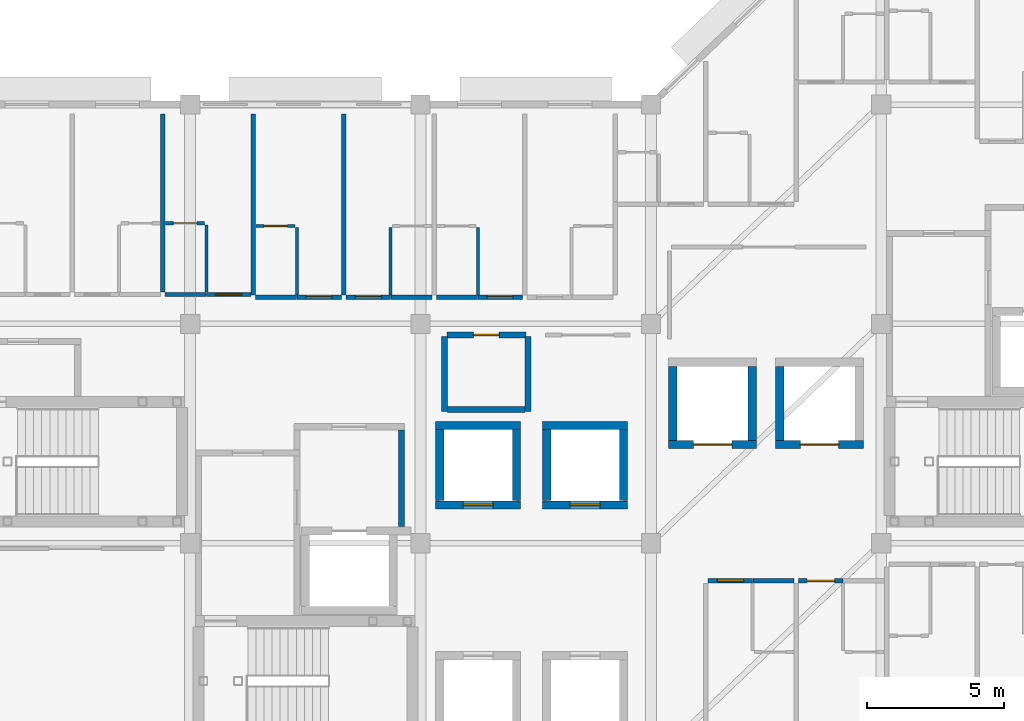
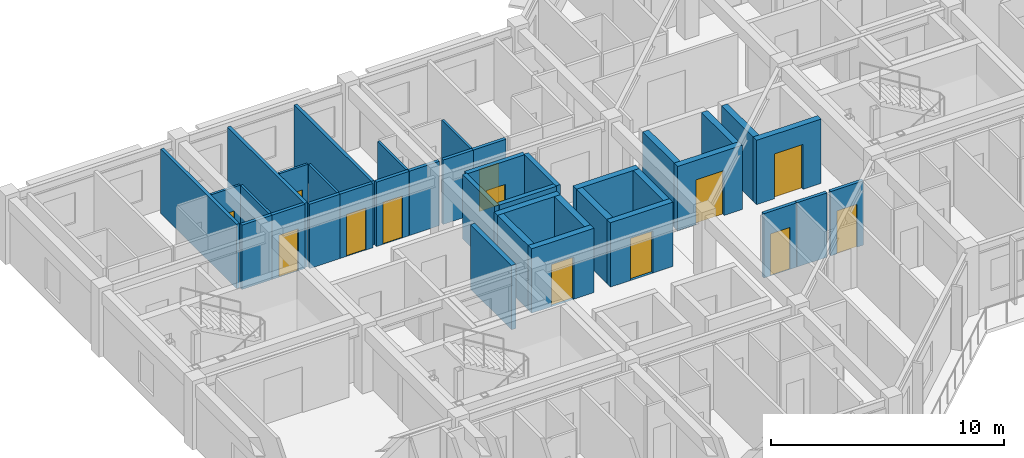
# One storey, part 7 of 16: 38 walls, 13 doors, 13 openings.
"""IFC4 building model written with IfcOpenShell, lengths in metres."""

from ifc_helpers import new_model, si_unit, direction, frame, frame_2d, origin, place, context, subcontext, project, spatial, rectangle, extrude, material, layer, layer_set, type_object, element, fill, save


model = new_model("IFC4")

# Units and contexts
model_context = context("Model", 3, precision=1e-05, world=origin(), true_north=direction((0.0, 1.0)))
body_context = subcontext(model_context, "Body", "Model", "MODEL_VIEW")
ifc_project = project(units=[si_unit("LENGTHUNIT", "METRE"), si_unit("AREAUNIT", "SQUARE_METRE"), si_unit("VOLUMEUNIT", "CUBIC_METRE"), si_unit("PLANEANGLEUNIT", "RADIAN"), si_unit("MASSUNIT", "GRAM", prefix="KILO")], contexts=[model_context])

# Site, building, storey
site_placement = place(None, origin())
site = spatial("IfcSite", under=ifc_project, at=site_placement, CompositionType="ELEMENT")
building_placement = place(site_placement, origin())
building = spatial("IfcBuilding", under=site, at=building_placement, Name="Naruveol Harbour Congress Hotel", CompositionType="ELEMENT")
storey_placement = place(building_placement, frame((0.0, 0.0, 28.800048828125)))
storey = spatial("IfcBuildingStorey", under=building, at=storey_placement, Name="L06", CompositionType="ELEMENT", Elevation=28.800048828125)

# Wall
ifc_material_1 = material(Name="Moisture-Resistant Gypsum Partition", Category="gypsum")
ifc_layer_1 = layer(ifc_material_1, 0.114990234375)
ifc_layer_set_1 = layer_set([ifc_layer_1], Name="Moisture-Resistant Gypsum Partition")
wall_type_1 = type_object("IfcWallType", Name="BATHROOM MOISTURE PARTITION WALL 115", PredefinedType="PARTITIONING", material=ifc_layer_set_1)
wall_1_placement = place(storey_placement, frame((126.590087890625, 25.159912109375, 0.0), z_axis=(0.0, 0.0, 1.0), x_axis=(0.0, 1.0, 0.0)))
element("IfcWall", 1, at=wall_1_placement, inside=storey, type_object=wall_type_1, Name="Bathroom east wall 0772 PW-115", PredefinedType="PARTITIONING", context=body_context, shape_type="SweptSolid", body=[
    extrude(rectangle(XDim=2.4501953125, YDim=0.114990234375, at=frame_2d((1.22509765625, 0.0))), origin(), (0.0, 0.0, 1.0), 3.364990234375),
])

# Wall, opening, door
wall_2_placement = place(storey_placement, frame((125.10009765625, 27.669921875, 0.0), z_axis=(0.0, 0.0, 1.0), x_axis=(1.0, 0.0, 0.0)))
wall_2 = element("IfcWall", 2, at=wall_2_placement, inside=storey, type_object=wall_type_1, Name="Bathroom north wall 0772 PW-115", PredefinedType="PARTITIONING", context=body_context, shape_type="SweptSolid", body=[
    extrude(rectangle(XDim=1.429931640625, YDim=0.114990234375, at=frame_2d((0.71484375, 0.0))), origin(), (0.0, 0.0, 1.0), 3.364990234375),
])
opening_1_placement = place(wall_2_placement, frame((0.284912109375, 0.0, 0.0)))
opening_1 = element("IfcOpeningElement", 3, at=opening_1_placement, cuts=wall_2, Name="Opening BD-RM0772", PredefinedType="OPENING", context=body_context, shape_type="SweptSolid", body=[
    extrude(rectangle(XDim=0.860107421875, YDim=2.1201171875, at=frame_2d((0.43017578125, 1.06005859375))), frame((0.0, 0.0673828125, 0.0), z_axis=(0.0, -1.0, 0.0), x_axis=(1.0, 0.0, 0.0)), (0.0, 0.0, 1.0), 0.135009765625),
])
ifc_material_2 = material(Name="Timber & Steel Acoustic Leaf", Category="steel")
door_type_1 = type_object("IfcDoorType", Name="GUEST BATHROOM DOOR 860X2120", OperationType="NOTDEFINED", PredefinedType="DOOR", material=ifc_material_2)
door_1_placement = place(opening_1_placement, origin())
door_1 = element("IfcDoor", 4, at=door_1_placement, inside=storey, type_object=door_type_1, Name="Bathroom Door 0772", OperationType="SINGLE_SWING_RIGHT", OverallHeight=2.1201171875, OverallWidth=0.860107421875, PredefinedType="DOOR", context=body_context, shape_type="SweptSolid", body=[
    extrude(rectangle(XDim=0.860107421875, YDim=2.1201171875, at=frame_2d((0.43017578125, 1.06005859375))), frame((0.0, 0.02490234375, 0.0), z_axis=(0.0, -1.0, 0.0), x_axis=(1.0, 0.0, 0.0)), (0.0, 0.0, 1.0), 0.050048828125),
])
fill(opening_1, door_1)

# Wall
wall_3_placement = place(storey_placement, frame((129.889892578125, 25.06005859375, 0.0), z_axis=(0.0, 0.0, 1.0), x_axis=(0.0, 1.0, 0.0)))
element("IfcWall", 5, at=wall_3_placement, inside=storey, type_object=wall_type_1, Name="Bathroom east wall 0773 PW-115", PredefinedType="PARTITIONING", context=body_context, shape_type="SweptSolid", body=[
    extrude(rectangle(XDim=2.449951171875, YDim=0.114990234375, at=frame_2d((1.22509765625, 0.0))), origin(), (0.0, 0.0, 1.0), 3.364990234375),
])

# Wall, opening, door
wall_4_placement = place(storey_placement, frame((128.39990234375, 27.570068359375, 0.0), z_axis=(0.0, 0.0, 1.0), x_axis=(1.0, 0.0, 0.0)))
wall_4 = element("IfcWall", 6, at=wall_4_placement, inside=storey, type_object=wall_type_1, Name="Bathroom north wall 0773 PW-115", PredefinedType="PARTITIONING", context=body_context, shape_type="SweptSolid", body=[
    extrude(rectangle(XDim=1.43017578125, YDim=0.114990234375, at=frame_2d((0.715087890625, 0.0))), origin(), (0.0, 0.0, 1.0), 3.364990234375),
])
opening_2_placement = place(wall_4_placement, frame((0.284912109375, 0.0, 0.0)))
opening_2 = element("IfcOpeningElement", 7, at=opening_2_placement, cuts=wall_4, Name="Opening BD-RM0773", PredefinedType="OPENING", context=body_context, shape_type="SweptSolid", body=[
    extrude(rectangle(XDim=0.860107421875, YDim=2.1201171875, at=frame_2d((0.43017578125, 1.06005859375))), frame((0.0, 0.0673828125, 0.0), z_axis=(0.0, -1.0, 0.0), x_axis=(1.0, 0.0, 0.0)), (0.0, 0.0, 1.0), 0.135009765625),
])
door_2_placement = place(opening_2_placement, origin())
door_2 = element("IfcDoor", 8, at=door_2_placement, inside=storey, type_object=door_type_1, Name="Bathroom Door 0773", OperationType="SINGLE_SWING_RIGHT", OverallHeight=2.1201171875, OverallWidth=0.860107421875, PredefinedType="DOOR", context=body_context, shape_type="SweptSolid", body=[
    extrude(rectangle(XDim=0.860107421875, YDim=2.1201171875, at=frame_2d((0.43017578125, 1.06005859375))), frame((0.0, 0.02490234375, 0.0), z_axis=(0.0, -1.0, 0.0), x_axis=(1.0, 0.0, 0.0)), (0.0, 0.0, 1.0), 0.050048828125),
])
fill(opening_2, door_2)

# Walls
for number, where, z_axis, x_axis, name in (
    (9, (133.31005859375, 25.06005859375, 0.0), (0.0, 0.0, 1.0), (0.0, 1.0, 0.0), "Bathroom west wall 0774 PW-115"),
    (10, (136.489990234375, 25.06005859375, 0.0), (0.0, 0.0, 1.0), (0.0, 1.0, 0.0), "Bathroom east wall 0775 PW-115"),
):
    element("IfcWall", number, at=place(storey_placement, frame(where, z_axis=z_axis, x_axis=x_axis)), inside=storey, type_object=wall_type_1, Name=name, PredefinedType="PARTITIONING", context=body_context, shape_type="SweptSolid", body=[
        extrude(rectangle(XDim=2.449951171875, YDim=0.114990234375, at=frame_2d((1.22509765625, 0.0))), origin(), (0.0, 0.0, 1.0), 3.364990234375),
    ])
ifc_material_3 = material(Name="Concrete C40/50", Category="concrete")
ifc_layer_2 = layer(ifc_material_3, 0.219970703125)
ifc_layer_set_2 = layer_set([ifc_layer_2], Name="Concrete C40/50")
wall_type_2 = type_object("IfcWallType", Name="FIRE COMPARTMENT AND LOBBY WALL 220 EI120", PredefinedType="PARTITIONING", material=ifc_layer_set_2)
wall_5_placement = place(storey_placement, frame((133.699951171875, 16.60498046875, 0.0), z_axis=(0.0, 0.0, 1.0), x_axis=(0.0, 1.0, 0.0)))
element("IfcWall", 11, at=wall_5_placement, inside=storey, type_object=wall_type_2, Name="Firefighting lift lobby ST1 east wall FW-220", PredefinedType="PARTITIONING", context=body_context, shape_type="SweptSolid", body=[
    extrude(rectangle(XDim=3.530029296875, YDim=0.219970703125, at=frame_2d((1.76513671875, 0.0))), origin(), (0.0, 0.0, 1.0), 3.364990234375),
])

# Wall, opening, door
wall_6_placement = place(storey_placement, frame((135.360107421875, 23.60009765625, 0.0), z_axis=(0.0, 0.0, 1.0), x_axis=(1.0, 0.0, 0.0)))
wall_6 = element("IfcWall", 12, at=wall_6_placement, inside=storey, type_object=wall_type_2, Name="Housekeeping Pantry north entry wall FW-220", PredefinedType="PARTITIONING", context=body_context, shape_type="SweptSolid", body=[
    extrude(rectangle(XDim=2.8798828125, YDim=0.219970703125, at=frame_2d((1.43994140625, 0.0))), origin(), (0.0, 0.0, 1.0), 3.364990234375),
])
opening_3_placement = place(wall_6_placement, frame((0.969970703125, 0.0, 0.0)))
opening_3 = element("IfcOpeningElement", 13, at=opening_3_placement, cuts=wall_6, Name="Opening FD-ST-112", PredefinedType="OPENING", context=body_context, shape_type="SweptSolid", body=[
    extrude(rectangle(XDim=0.93994140625, YDim=2.14990234375, at=frame_2d((0.469970703125, 1.074951171875))), frame((0.0, 0.119873046875, 0.0), z_axis=(0.0, -1.0, 0.0), x_axis=(1.0, 0.0, 0.0)), (0.0, 0.0, 1.0), 0.239990234375),
])
ifc_material_4 = material(Name="Timber & Steel Acoustic Leaf", Category="steel")
door_type_2 = type_object("IfcDoorType", Name="HOUSEKEEPING AND STORE FIRE DOOR 940X2150", OperationType="NOTDEFINED", PredefinedType="DOOR", material=ifc_material_4)
door_3_placement = place(opening_3_placement, origin())
door_3 = element("IfcDoor", 14, at=door_3_placement, inside=storey, type_object=door_type_2, Name="Housekeeping Pantry Fire Door", OperationType="SINGLE_SWING_LEFT", OverallHeight=2.14990234375, OverallWidth=0.93994140625, PredefinedType="DOOR", context=body_context, shape_type="SweptSolid", body=[
    extrude(rectangle(XDim=0.93994140625, YDim=2.14990234375, at=frame_2d((0.469970703125, 1.074951171875))), frame((0.0, 0.02490234375, 0.0), z_axis=(0.0, -1.0, 0.0), x_axis=(1.0, 0.0, 0.0)), (0.0, 0.0, 1.0), 0.050048828125),
])
fill(opening_3, door_3)

# Walls
for number, where, z_axis, x_axis, name in (
    (15, (135.280029296875, 20.800048828125, 0.0), (0.0, 0.0, 1.0), (0.0, 1.0, 0.0), "Housekeeping Pantry west enclosure partition FW-220"),
    (16, (138.320068359375, 20.800048828125, 0.0), (0.0, 0.0, 1.0), (0.0, 1.0, 0.0), "Housekeeping Pantry east enclosure partition FW-220"),
):
    element("IfcWall", number, at=place(storey_placement, frame(where, z_axis=z_axis, x_axis=x_axis)), inside=storey, type_object=wall_type_2, Name=name, PredefinedType="PARTITIONING", context=body_context, shape_type="SweptSolid", body=[
        extrude(rectangle(XDim=2.748046875, YDim=0.219970703125, at=frame_2d((1.3740234375, 0.0))), origin(), (0.0, 0.0, 1.0), 3.364990234375),
    ])
wall_7_placement = place(storey_placement, frame((135.389892578125, 20.8798828125, 0.0), z_axis=(0.0, 0.0, 1.0), x_axis=(1.0, 0.0, 0.0)))
element("IfcWall", 17, at=wall_7_placement, inside=storey, type_object=wall_type_2, Name="Housekeeping Pantry south enclosure partition FW-220", PredefinedType="PARTITIONING", context=body_context, shape_type="SweptSolid", body=[
    extrude(rectangle(XDim=2.820068359375, YDim=0.219970703125, at=frame_2d((1.41015625, 0.0))), origin(), (0.0, 0.0, 1.0), 3.364990234375),
])
ifc_material_5 = material(Name="Autoclaved Aerated Concrete Block", Category="concrete")
ifc_layer_3 = layer(ifc_material_5, 0.159912109375)
ifc_layer_set_3 = layer_set([ifc_layer_3], Name="Autoclaved Aerated Concrete Block")
wall_type_3 = type_object("IfcWallType", Name="HOTEL PARTY AND CORRIDOR WALL 160 EI60", PredefinedType="PARTITIONING", material=ifc_layer_set_3)
wall_8_placement = place(storey_placement, frame((125.090087890625, 25.070068359375, 0.0), z_axis=(0.0, 0.0, 1.0), x_axis=(1.0, 0.0, 0.0)))
element("IfcWall", 18, at=wall_8_placement, inside=storey, type_object=wall_type_3, Name="Corridor wall 0772B PW-160", PredefinedType="PARTITIONING", context=body_context, shape_type="SweptSolid", body=[
    extrude(rectangle(XDim=1.489990234375, YDim=0.159912109375, at=frame_2d((0.7451171875, 0.0))), origin(), (0.0, 0.0, 1.0), 3.364990234375),
])

# Wall, opening, door
wall_9_placement = place(storey_placement, frame((126.590087890625, 25.070068359375, 0.0), z_axis=(0.0, 0.0, 1.0), x_axis=(1.0, 0.0, 0.0)))
wall_9 = element("IfcWall", 19, at=wall_9_placement, inside=storey, type_object=wall_type_3, Name="Corridor entry wall 0772 PW-160", PredefinedType="PARTITIONING", context=body_context, shape_type="SweptSolid", body=[
    extrude(rectangle(XDim=1.619873046875, YDim=0.159912109375, at=frame_2d((0.81005859375, 0.0))), origin(), (0.0, 0.0, 1.0), 3.364990234375),
])
opening_4_placement = place(wall_9_placement, frame((0.330078125, 0.0, 0.0)))
opening_4 = element("IfcOpeningElement", 20, at=opening_4_placement, cuts=wall_9, Name="Opening FD-RM0772", PredefinedType="OPENING", context=body_context, shape_type="SweptSolid", body=[
    extrude(rectangle(XDim=0.9599609375, YDim=2.199951171875, at=frame_2d((0.47998046875, 1.10009765625))), frame((0.0, 0.08984375, 0.0), z_axis=(0.0, -1.0, 0.0), x_axis=(1.0, 0.0, 0.0)), (0.0, 0.0, 1.0), 0.179931640625),
])
ifc_material_6 = material(Name="Timber & Steel Acoustic Leaf", Category="steel")
door_type_3 = type_object("IfcDoorType", Name="GUEST ROOM ENTRANCE FIRE DOOR 960X2200", OperationType="NOTDEFINED", PredefinedType="DOOR", material=ifc_material_6)
door_4_placement = place(opening_4_placement, origin())
door_4 = element("IfcDoor", 21, at=door_4_placement, inside=storey, type_object=door_type_3, Name="Hotel Room Door 0772", OperationType="SINGLE_SWING_LEFT", OverallHeight=2.199951171875, OverallWidth=0.9599609375, PredefinedType="DOOR", context=body_context, shape_type="SweptSolid", body=[
    extrude(rectangle(XDim=0.9599609375, YDim=2.199951171875, at=frame_2d((0.47998046875, 1.10009765625))), frame((0.0, 0.02490234375, 0.0), z_axis=(0.0, -1.0, 0.0), x_axis=(1.0, 0.0, 0.0)), (0.0, 0.0, 1.0), 0.050048828125),
])
fill(opening_4, door_4)

# Walls
wall_10_placement = place(storey_placement, frame((125.0, 25.159912109375, 0.0), z_axis=(0.0, 0.0, 1.0), x_axis=(0.0, 1.0, 0.0)))
element("IfcWall", 22, at=wall_10_placement, inside=storey, type_object=wall_type_3, Name="Hotel party wall 0772 PW-160", PredefinedType="PARTITIONING", context=body_context, shape_type="SweptSolid", body=[
    extrude(rectangle(XDim=6.5, YDim=0.159912109375, at=frame_2d((3.25, 0.0))), origin(), (0.0, 0.0, 1.0), 3.364990234375),
])
wall_11_placement = place(storey_placement, frame((128.389892578125, 24.969970703125, 0.0), z_axis=(0.0, 0.0, 1.0), x_axis=(1.0, 0.0, 0.0)))
element("IfcWall", 23, at=wall_11_placement, inside=storey, type_object=wall_type_3, Name="Corridor wall 0773B PW-160", PredefinedType="PARTITIONING", context=body_context, shape_type="SweptSolid", body=[
    extrude(rectangle(XDim=1.489990234375, YDim=0.159912109375, at=frame_2d((0.7451171875, 0.0))), origin(), (0.0, 0.0, 1.0), 3.364990234375),
])

# Wall, opening, door
wall_12_placement = place(storey_placement, frame((129.889892578125, 24.969970703125, 0.0), z_axis=(0.0, 0.0, 1.0), x_axis=(1.0, 0.0, 0.0)))
wall_12 = element("IfcWall", 24, at=wall_12_placement, inside=storey, type_object=wall_type_3, Name="Corridor entry wall 0773 PW-160", PredefinedType="PARTITIONING", context=body_context, shape_type="SweptSolid", body=[
    extrude(rectangle(XDim=1.6201171875, YDim=0.159912109375, at=frame_2d((0.81005859375, 0.0))), origin(), (0.0, 0.0, 1.0), 3.364990234375),
])
opening_5_placement = place(wall_12_placement, frame((0.330078125, 0.0, 0.0)))
opening_5 = element("IfcOpeningElement", 25, at=opening_5_placement, cuts=wall_12, Name="Opening FD-RM0773", PredefinedType="OPENING", context=body_context, shape_type="SweptSolid", body=[
    extrude(rectangle(XDim=0.9599609375, YDim=2.199951171875, at=frame_2d((0.47998046875, 1.10009765625))), frame((0.0, 0.08984375, 0.0), z_axis=(0.0, -1.0, 0.0), x_axis=(1.0, 0.0, 0.0)), (0.0, 0.0, 1.0), 0.179931640625),
])
door_5_placement = place(opening_5_placement, origin())
door_5 = element("IfcDoor", 26, at=door_5_placement, inside=storey, type_object=door_type_3, Name="Hotel Room Door 0773", OperationType="SINGLE_SWING_LEFT", OverallHeight=2.199951171875, OverallWidth=0.9599609375, PredefinedType="DOOR", context=body_context, shape_type="SweptSolid", body=[
    extrude(rectangle(XDim=0.9599609375, YDim=2.199951171875, at=frame_2d((0.47998046875, 1.10009765625))), frame((0.0, 0.02490234375, 0.0), z_axis=(0.0, -1.0, 0.0), x_axis=(1.0, 0.0, 0.0)), (0.0, 0.0, 1.0), 0.050048828125),
])
fill(opening_5, door_5)

# Wall
wall_13_placement = place(storey_placement, frame((128.300048828125, 25.06005859375, 0.0), z_axis=(0.0, 0.0, 1.0), x_axis=(0.0, 1.0, 0.0)))
element("IfcWall", 27, at=wall_13_placement, inside=storey, type_object=wall_type_3, Name="Hotel party wall 0773 PW-160", PredefinedType="PARTITIONING", context=body_context, shape_type="SweptSolid", body=[
    extrude(rectangle(XDim=6.599853515625, YDim=0.159912109375, at=frame_2d((3.2998046875, 0.0))), origin(), (0.0, 0.0, 1.0), 3.364990234375),
])

# Wall, opening, door
wall_14_placement = place(storey_placement, frame((131.68994140625, 24.969970703125, 0.0), z_axis=(0.0, 0.0, 1.0), x_axis=(1.0, 0.0, 0.0)))
wall_14 = element("IfcWall", 28, at=wall_14_placement, inside=storey, type_object=wall_type_3, Name="Corridor entry wall 0774 PW-160", PredefinedType="PARTITIONING", context=body_context, shape_type="SweptSolid", body=[
    extrude(rectangle(XDim=1.6201171875, YDim=0.159912109375, at=frame_2d((0.81005859375, 0.0))), origin(), (0.0, 0.0, 1.0), 3.364990234375),
])
opening_6_placement = place(wall_14_placement, frame((0.330078125, 0.0, 0.0)))
opening_6 = element("IfcOpeningElement", 29, at=opening_6_placement, cuts=wall_14, Name="Opening FD-RM0774", PredefinedType="OPENING", context=body_context, shape_type="SweptSolid", body=[
    extrude(rectangle(XDim=0.9599609375, YDim=2.199951171875, at=frame_2d((0.47998046875, 1.10009765625))), frame((0.0, 0.08984375, 0.0), z_axis=(0.0, -1.0, 0.0), x_axis=(1.0, 0.0, 0.0)), (0.0, 0.0, 1.0), 0.179931640625),
])
door_6_placement = place(opening_6_placement, origin())
door_6 = element("IfcDoor", 30, at=door_6_placement, inside=storey, type_object=door_type_3, Name="Hotel Room Door 0774", OperationType="SINGLE_SWING_LEFT", OverallHeight=2.199951171875, OverallWidth=0.9599609375, PredefinedType="DOOR", context=body_context, shape_type="SweptSolid", body=[
    extrude(rectangle(XDim=0.9599609375, YDim=2.199951171875, at=frame_2d((0.47998046875, 1.10009765625))), frame((0.0, 0.02490234375, 0.0), z_axis=(0.0, -1.0, 0.0), x_axis=(1.0, 0.0, 0.0)), (0.0, 0.0, 1.0), 0.050048828125),
])
fill(opening_6, door_6)

# Walls
wall_15_placement = place(storey_placement, frame((133.320068359375, 24.969970703125, 0.0), z_axis=(0.0, 0.0, 1.0), x_axis=(1.0, 0.0, 0.0)))
element("IfcWall", 31, at=wall_15_placement, inside=storey, type_object=wall_type_3, Name="Corridor wall 0774B PW-160", PredefinedType="PARTITIONING", context=body_context, shape_type="SweptSolid", body=[
    extrude(rectangle(XDim=1.489990234375, YDim=0.159912109375, at=frame_2d((0.7451171875, 0.0))), origin(), (0.0, 0.0, 1.0), 3.364990234375),
])
wall_16_placement = place(storey_placement, frame((131.60009765625, 25.06005859375, 0.0), z_axis=(0.0, 0.0, 1.0), x_axis=(0.0, 1.0, 0.0)))
element("IfcWall", 32, at=wall_16_placement, inside=storey, type_object=wall_type_3, Name="Hotel party wall 0774 PW-160", PredefinedType="PARTITIONING", context=body_context, shape_type="SweptSolid", body=[
    extrude(rectangle(XDim=6.599853515625, YDim=0.159912109375, at=frame_2d((3.2998046875, 0.0))), origin(), (0.0, 0.0, 1.0), 3.364990234375),
])
wall_17_placement = place(storey_placement, frame((134.989990234375, 24.969970703125, 0.0), z_axis=(0.0, 0.0, 1.0), x_axis=(1.0, 0.0, 0.0)))
element("IfcWall", 33, at=wall_17_placement, inside=storey, type_object=wall_type_3, Name="Corridor wall 0775B PW-160", PredefinedType="PARTITIONING", context=body_context, shape_type="SweptSolid", body=[
    extrude(rectangle(XDim=1.489990234375, YDim=0.159912109375, at=frame_2d((0.7451171875, 0.0))), origin(), (0.0, 0.0, 1.0), 3.364990234375),
])

# Wall, opening, door
wall_18_placement = place(storey_placement, frame((136.489990234375, 24.969970703125, 0.0), z_axis=(0.0, 0.0, 1.0), x_axis=(1.0, 0.0, 0.0)))
wall_18 = element("IfcWall", 34, at=wall_18_placement, inside=storey, type_object=wall_type_3, Name="Corridor entry wall 0775 PW-160", PredefinedType="PARTITIONING", context=body_context, shape_type="SweptSolid", body=[
    extrude(rectangle(XDim=1.6201171875, YDim=0.159912109375, at=frame_2d((0.81005859375, 0.0))), origin(), (0.0, 0.0, 1.0), 3.364990234375),
])
opening_7_placement = place(wall_18_placement, frame((0.330078125, 0.0, 0.0)))
opening_7 = element("IfcOpeningElement", 35, at=opening_7_placement, cuts=wall_18, Name="Opening FD-RM0775", PredefinedType="OPENING", context=body_context, shape_type="SweptSolid", body=[
    extrude(rectangle(XDim=0.9599609375, YDim=2.199951171875, at=frame_2d((0.47998046875, 1.10009765625))), frame((0.0, 0.08984375, 0.0), z_axis=(0.0, -1.0, 0.0), x_axis=(1.0, 0.0, 0.0)), (0.0, 0.0, 1.0), 0.179931640625),
])
door_7_placement = place(opening_7_placement, origin())
door_7 = element("IfcDoor", 36, at=door_7_placement, inside=storey, type_object=door_type_3, Name="Hotel Room Door 0775", OperationType="SINGLE_SWING_LEFT", OverallHeight=2.199951171875, OverallWidth=0.9599609375, PredefinedType="DOOR", context=body_context, shape_type="SweptSolid", body=[
    extrude(rectangle(XDim=0.9599609375, YDim=2.199951171875, at=frame_2d((0.47998046875, 1.10009765625))), frame((0.0, 0.02490234375, 0.0), z_axis=(0.0, -1.0, 0.0), x_axis=(1.0, 0.0, 0.0)), (0.0, 0.0, 1.0), 0.050048828125),
])
fill(opening_7, door_7)

wall_19_placement = place(storey_placement, frame((144.889892578125, 14.6298828125, 0.0), z_axis=(0.0, 0.0, 1.0), x_axis=(1.0, 0.0, 0.0)))
wall_19 = element("IfcWall", 37, at=wall_19_placement, inside=storey, type_object=wall_type_3, Name="Corridor entry wall 0761 PW-160", PredefinedType="PARTITIONING", context=body_context, shape_type="SweptSolid", body=[
    extrude(rectangle(XDim=1.6201171875, YDim=0.159912109375, at=frame_2d((0.81005859375, 0.0))), origin(), (0.0, 0.0, 1.0), 3.364990234375),
])
opening_8_placement = place(wall_19_placement, frame((0.330078125, 0.0, 0.0)))
opening_8 = element("IfcOpeningElement", 38, at=opening_8_placement, cuts=wall_19, Name="Opening FD-RM0761", PredefinedType="OPENING", context=body_context, shape_type="SweptSolid", body=[
    extrude(rectangle(XDim=0.9599609375, YDim=2.199951171875, at=frame_2d((0.47998046875, 1.10009765625))), frame((0.0, 0.08984375, 0.0), z_axis=(0.0, -1.0, 0.0), x_axis=(1.0, 0.0, 0.0)), (0.0, 0.0, 1.0), 0.179931640625),
])
door_8_placement = place(opening_8_placement, origin())
door_8 = element("IfcDoor", 39, at=door_8_placement, inside=storey, type_object=door_type_3, Name="Hotel Room Door 0761", OperationType="SINGLE_SWING_LEFT", OverallHeight=2.199951171875, OverallWidth=0.9599609375, PredefinedType="DOOR", context=body_context, shape_type="SweptSolid", body=[
    extrude(rectangle(XDim=0.9599609375, YDim=2.199951171875, at=frame_2d((0.47998046875, 1.10009765625))), frame((0.0, 0.02490234375, 0.0), z_axis=(0.0, -1.0, 0.0), x_axis=(1.0, 0.0, 0.0)), (0.0, 0.0, 1.0), 0.050048828125),
])
fill(opening_8, door_8)

# Wall
wall_20_placement = place(storey_placement, frame((146.52001953125, 14.6298828125, 0.0), z_axis=(0.0, 0.0, 1.0), x_axis=(1.0, 0.0, 0.0)))
element("IfcWall", 40, at=wall_20_placement, inside=storey, type_object=wall_type_3, Name="Corridor wall 0761B PW-160", PredefinedType="PARTITIONING", context=body_context, shape_type="SweptSolid", body=[
    extrude(rectangle(XDim=1.489990234375, YDim=0.159912109375, at=frame_2d((0.7451171875, 0.0))), origin(), (0.0, 0.0, 1.0), 3.364990234375),
])

# Wall, opening, door
wall_21_placement = place(storey_placement, frame((148.18994140625, 14.6298828125, 0.0), z_axis=(0.0, 0.0, 1.0), x_axis=(1.0, 0.0, 0.0)))
wall_21 = element("IfcWall", 41, at=wall_21_placement, inside=storey, type_object=wall_type_3, Name="Corridor entry wall 0762 PW-160", PredefinedType="PARTITIONING", context=body_context, shape_type="SweptSolid", body=[
    extrude(rectangle(XDim=1.6201171875, YDim=0.159912109375, at=frame_2d((0.81005859375, 0.0))), origin(), (0.0, 0.0, 1.0), 3.364990234375),
])
opening_9_placement = place(wall_21_placement, frame((0.31005859375, 0.0, 0.0)))
opening_9 = element("IfcOpeningElement", 42, at=opening_9_placement, cuts=wall_21, Name="Opening FD-RM0762", PredefinedType="OPENING", context=body_context, shape_type="SweptSolid", body=[
    extrude(rectangle(XDim=1.0, YDim=2.25, at=frame_2d((0.5, 1.125))), frame((0.0, 0.08984375, 0.0), z_axis=(0.0, -1.0, 0.0), x_axis=(1.0, 0.0, 0.0)), (0.0, 0.0, 1.0), 0.179931640625),
])
ifc_material_7 = material(Name="Timber & Steel Acoustic Leaf", Category="steel")
door_type_4 = type_object("IfcDoorType", Name="DELUXE GUEST ENTRANCE FIRE DOOR 1000X2250", OperationType="NOTDEFINED", PredefinedType="DOOR", material=ifc_material_7)
door_9_placement = place(opening_9_placement, origin())
door_9 = element("IfcDoor", 43, at=door_9_placement, inside=storey, type_object=door_type_4, Name="Hotel Room Door 0762", OperationType="SINGLE_SWING_LEFT", OverallHeight=2.25, OverallWidth=1.0, PredefinedType="DOOR", context=body_context, shape_type="SweptSolid", body=[
    extrude(rectangle(XDim=1.0, YDim=2.25, at=frame_2d((0.5, 1.125))), frame((0.0, 0.02490234375, 0.0), z_axis=(0.0, -1.0, 0.0), x_axis=(1.0, 0.0, 0.0)), (0.0, 0.0, 1.0), 0.050048828125),
])
fill(opening_9, door_9)

ifc_material_8 = material(Name="Concrete C50/60", Category="concrete")
ifc_layer_4 = layer(ifc_material_8, 0.300048828125)
ifc_layer_set_4 = layer_set([ifc_layer_4], Name="Concrete C50/60")
wall_type_4 = type_object("IfcWallType", Name="RC STAIR AND HOISTWAY SHEAR WALL 300 EI120", PredefinedType="SHEAR", material=ifc_layer_set_4)
wall_22_placement = place(storey_placement, frame((134.949951171875, 17.39990234375, 0.0), z_axis=(0.0, 0.0, 1.0), x_axis=(1.0, 0.0, 0.0)))
wall_22 = element("IfcWall", 44, at=wall_22_placement, inside=storey, type_object=wall_type_4, Name="Hoistway south shear wall PL1 SW-300", PredefinedType="SHEAR", context=body_context, shape_type="SweptSolid", body=[
    extrude(rectangle(XDim=3.10009765625, YDim=0.300048828125, at=frame_2d((1.550048828125, 0.0))), origin(), (0.0, 0.0, 1.0), 3.364990234375),
])
opening_10_placement = place(wall_22_placement, frame((1.0, 0.0, 0.0)))
opening_10 = element("IfcOpeningElement", 45, at=opening_10_placement, cuts=wall_22, Name="Opening LD-PL1-L06", PredefinedType="OPENING", context=body_context, shape_type="SweptSolid", body=[
    extrude(rectangle(XDim=1.10009765625, YDim=2.199951171875, at=frame_2d((0.550048828125, 1.10009765625))), frame((0.0, 0.159912109375, 0.0), z_axis=(0.0, -1.0, 0.0), x_axis=(1.0, 0.0, 0.0)), (0.0, 0.0, 1.0), 0.320068359375),
])
ifc_material_9 = material(Name="Stainless Steel Lift Door", Category="steel")
door_type_5 = type_object("IfcDoorType", Name="PASSENGER LIFT LANDING DOOR 1100X2200", OperationType="DOUBLE_DOOR_SLIDING", PredefinedType="DOOR", material=ifc_material_9)
door_10_placement = place(opening_10_placement, origin())
door_10 = element("IfcDoor", 46, at=door_10_placement, inside=storey, type_object=door_type_5, Name="Elevator Landing Door PL1 L06", OperationType="DOUBLE_DOOR_SLIDING", OverallHeight=2.199951171875, OverallWidth=1.10009765625, PredefinedType="DOOR", context=body_context, shape_type="SweptSolid", body=[
    extrude(rectangle(XDim=1.10009765625, YDim=2.199951171875, at=frame_2d((0.550048828125, 1.10009765625))), frame((0.0, 0.02490234375, 0.0), z_axis=(0.0, -1.0, 0.0), x_axis=(1.0, 0.0, 0.0)), (0.0, 0.0, 1.0), 0.050048828125),
])
fill(opening_10, door_10)

# Walls
wall_23_placement = place(storey_placement, frame((137.89990234375, 17.554931640625, 0.0), z_axis=(0.0, 0.0, 1.0), x_axis=(0.0, 1.0, 0.0)))
element("IfcWall", 47, at=wall_23_placement, inside=storey, type_object=wall_type_4, Name="Hoistway east shear wall PL1 SW-300", PredefinedType="SHEAR", context=body_context, shape_type="SweptSolid", body=[
    extrude(rectangle(XDim=2.590087890625, YDim=0.300048828125, at=frame_2d((1.294921875, 0.0))), origin(), (0.0, 0.0, 1.0), 3.364990234375),
])
wall_24_placement = place(storey_placement, frame((138.050048828125, 20.300048828125, 0.0), z_axis=(0.0, 0.0, 1.0), x_axis=(-1.0, 0.0, 0.0)))
element("IfcWall", 48, at=wall_24_placement, inside=storey, type_object=wall_type_4, Name="Hoistway north shear wall PL1 SW-300", PredefinedType="SHEAR", context=body_context, shape_type="SweptSolid", body=[
    extrude(rectangle(XDim=3.10009765625, YDim=0.300048828125, at=frame_2d((1.550048828125, 0.0))), origin(), (0.0, 0.0, 1.0), 3.364990234375),
])
wall_25_placement = place(storey_placement, frame((135.10009765625, 20.14501953125, 0.0), z_axis=(0.0, 0.0, 1.0), x_axis=(0.0, -1.0, 0.0)))
element("IfcWall", 49, at=wall_25_placement, inside=storey, type_object=wall_type_4, Name="Hoistway west shear wall PL1 SW-300", PredefinedType="SHEAR", context=body_context, shape_type="SweptSolid", body=[
    extrude(rectangle(XDim=2.590087890625, YDim=0.300048828125, at=frame_2d((1.294921875, 0.0))), origin(), (0.0, 0.0, 1.0), 3.364990234375),
])

# Wall, opening, door
wall_26_placement = place(storey_placement, frame((138.85009765625, 17.39990234375, 0.0), z_axis=(0.0, 0.0, 1.0), x_axis=(1.0, 0.0, 0.0)))
wall_26 = element("IfcWall", 50, at=wall_26_placement, inside=storey, type_object=wall_type_4, Name="Hoistway south shear wall PL2 SW-300", PredefinedType="SHEAR", context=body_context, shape_type="SweptSolid", body=[
    extrude(rectangle(XDim=3.099853515625, YDim=0.300048828125, at=frame_2d((1.5498046875, 0.0))), origin(), (0.0, 0.0, 1.0), 3.364990234375),
])
opening_11_placement = place(wall_26_placement, frame((1.0, 0.0, 0.0)))
opening_11 = element("IfcOpeningElement", 51, at=opening_11_placement, cuts=wall_26, Name="Opening LD-PL2-L06", PredefinedType="OPENING", context=body_context, shape_type="SweptSolid", body=[
    extrude(rectangle(XDim=1.10009765625, YDim=2.199951171875, at=frame_2d((0.550048828125, 1.10009765625))), frame((0.0, 0.159912109375, 0.0), z_axis=(0.0, -1.0, 0.0), x_axis=(1.0, 0.0, 0.0)), (0.0, 0.0, 1.0), 0.320068359375),
])
door_11_placement = place(opening_11_placement, origin())
door_11 = element("IfcDoor", 52, at=door_11_placement, inside=storey, type_object=door_type_5, Name="Elevator Landing Door PL2 L06", OperationType="DOUBLE_DOOR_SLIDING", OverallHeight=2.199951171875, OverallWidth=1.10009765625, PredefinedType="DOOR", context=body_context, shape_type="SweptSolid", body=[
    extrude(rectangle(XDim=1.10009765625, YDim=2.199951171875, at=frame_2d((0.550048828125, 1.10009765625))), frame((0.0, 0.02490234375, 0.0), z_axis=(0.0, -1.0, 0.0), x_axis=(1.0, 0.0, 0.0)), (0.0, 0.0, 1.0), 0.050048828125),
])
fill(opening_11, door_11)

# Walls
wall_27_placement = place(storey_placement, frame((141.800048828125, 17.554931640625, 0.0), z_axis=(0.0, 0.0, 1.0), x_axis=(0.0, 1.0, 0.0)))
element("IfcWall", 53, at=wall_27_placement, inside=storey, type_object=wall_type_4, Name="Hoistway east shear wall PL2 SW-300", PredefinedType="SHEAR", context=body_context, shape_type="SweptSolid", body=[
    extrude(rectangle(XDim=2.590087890625, YDim=0.300048828125, at=frame_2d((1.294921875, 0.0))), origin(), (0.0, 0.0, 1.0), 3.364990234375),
])
wall_28_placement = place(storey_placement, frame((141.949951171875, 20.300048828125, 0.0), z_axis=(0.0, 0.0, 1.0), x_axis=(-1.0, 0.0, 0.0)))
element("IfcWall", 54, at=wall_28_placement, inside=storey, type_object=wall_type_4, Name="Hoistway north shear wall PL2 SW-300", PredefinedType="SHEAR", context=body_context, shape_type="SweptSolid", body=[
    extrude(rectangle(XDim=3.099853515625, YDim=0.300048828125, at=frame_2d((1.5498046875, 0.0))), origin(), (0.0, 0.0, 1.0), 3.364990234375),
])
wall_29_placement = place(storey_placement, frame((139.0, 20.14501953125, 0.0), z_axis=(0.0, 0.0, 1.0), x_axis=(0.0, -1.0, 0.0)))
element("IfcWall", 55, at=wall_29_placement, inside=storey, type_object=wall_type_4, Name="Hoistway west shear wall PL2 SW-300", PredefinedType="SHEAR", context=body_context, shape_type="SweptSolid", body=[
    extrude(rectangle(XDim=2.590087890625, YDim=0.300048828125, at=frame_2d((1.294921875, 0.0))), origin(), (0.0, 0.0, 1.0), 3.364990234375),
])

# Wall, opening, door
wall_30_placement = place(storey_placement, frame((143.449951171875, 19.60009765625, 0.0), z_axis=(0.0, 0.0, 1.0), x_axis=(1.0, 0.0, 0.0)))
wall_30 = element("IfcWall", 56, at=wall_30_placement, inside=storey, type_object=wall_type_4, Name="Hoistway south shear wall GL1 SW-300", PredefinedType="SHEAR", context=body_context, shape_type="SweptSolid", body=[
    extrude(rectangle(XDim=3.199951171875, YDim=0.300048828125, at=frame_2d((1.60009765625, 0.0))), origin(), (0.0, 0.0, 1.0), 3.364990234375),
])
opening_12_placement = place(wall_30_placement, frame((0.89990234375, 0.0, 0.0)))
opening_12 = element("IfcOpeningElement", 57, at=opening_12_placement, cuts=wall_30, Name="Opening LD-GL1-L06", PredefinedType="OPENING", context=body_context, shape_type="SweptSolid", body=[
    extrude(rectangle(XDim=1.39990234375, YDim=2.35009765625, at=frame_2d((0.699951171875, 1.175048828125))), frame((0.0, 0.159912109375, 0.0), z_axis=(0.0, -1.0, 0.0), x_axis=(1.0, 0.0, 0.0)), (0.0, 0.0, 1.0), 0.320068359375),
])
ifc_material_10 = material(Name="Stainless Steel Lift Door", Category="steel")
door_type_6 = type_object("IfcDoorType", Name="GOODS LIFT LANDING DOOR 1400X2350", OperationType="DOUBLE_DOOR_SLIDING", PredefinedType="DOOR", material=ifc_material_10)
door_12_placement = place(opening_12_placement, origin())
door_12 = element("IfcDoor", 58, at=door_12_placement, inside=storey, type_object=door_type_6, Name="Elevator Landing Door GL1 L06", OperationType="DOUBLE_DOOR_SLIDING", OverallHeight=2.35009765625, OverallWidth=1.39990234375, PredefinedType="DOOR", context=body_context, shape_type="SweptSolid", body=[
    extrude(rectangle(XDim=1.39990234375, YDim=2.35009765625, at=frame_2d((0.699951171875, 1.175048828125))), frame((0.0, 0.02490234375, 0.0), z_axis=(0.0, -1.0, 0.0), x_axis=(1.0, 0.0, 0.0)), (0.0, 0.0, 1.0), 0.050048828125),
])
fill(opening_12, door_12)

# Walls
for number, where, z_axis, x_axis, name in (
    (59, (146.5, 19.7548828125, 0.0), (0.0, 0.0, 1.0), (0.0, 1.0, 0.0), "Hoistway east shear wall GL1 SW-300"),
    (60, (143.60009765625, 22.445068359375, 0.0), (0.0, 0.0, 1.0), (0.0, -1.0, 0.0), "Hoistway west shear wall GL1 SW-300"),
):
    element("IfcWall", number, at=place(storey_placement, frame(where, z_axis=z_axis, x_axis=x_axis)), inside=storey, type_object=wall_type_4, Name=name, PredefinedType="SHEAR", context=body_context, shape_type="SweptSolid", body=[
        extrude(rectangle(XDim=2.690185546875, YDim=0.300048828125, at=frame_2d((1.34521484375, 0.0))), origin(), (0.0, 0.0, 1.0), 3.364990234375),
    ])

# Wall, opening, door
wall_31_placement = place(storey_placement, frame((147.35009765625, 19.60009765625, 0.0), z_axis=(0.0, 0.0, 1.0), x_axis=(1.0, 0.0, 0.0)))
wall_31 = element("IfcWall", 61, at=wall_31_placement, inside=storey, type_object=wall_type_4, Name="Hoistway south shear wall GL2 SW-300", PredefinedType="SHEAR", context=body_context, shape_type="SweptSolid", body=[
    extrude(rectangle(XDim=3.199951171875, YDim=0.300048828125, at=frame_2d((1.60009765625, 0.0))), origin(), (0.0, 0.0, 1.0), 3.364990234375),
])
opening_13_placement = place(wall_31_placement, frame((0.89990234375, 0.0, 0.0)))
opening_13 = element("IfcOpeningElement", 62, at=opening_13_placement, cuts=wall_31, Name="Opening LD-GL2-L06", PredefinedType="OPENING", context=body_context, shape_type="SweptSolid", body=[
    extrude(rectangle(XDim=1.39990234375, YDim=2.35009765625, at=frame_2d((0.699951171875, 1.175048828125))), frame((0.0, 0.159912109375, 0.0), z_axis=(0.0, -1.0, 0.0), x_axis=(1.0, 0.0, 0.0)), (0.0, 0.0, 1.0), 0.320068359375),
])
door_13_placement = place(opening_13_placement, origin())
door_13 = element("IfcDoor", 63, at=door_13_placement, inside=storey, type_object=door_type_6, Name="Elevator Landing Door GL2 L06", OperationType="DOUBLE_DOOR_SLIDING", OverallHeight=2.35009765625, OverallWidth=1.39990234375, PredefinedType="DOOR", context=body_context, shape_type="SweptSolid", body=[
    extrude(rectangle(XDim=1.39990234375, YDim=2.35009765625, at=frame_2d((0.699951171875, 1.175048828125))), frame((0.0, 0.02490234375, 0.0), z_axis=(0.0, -1.0, 0.0), x_axis=(1.0, 0.0, 0.0)), (0.0, 0.0, 1.0), 0.050048828125),
])
fill(opening_13, door_13)

# Wall
wall_32_placement = place(storey_placement, frame((147.5, 22.445068359375, 0.0), z_axis=(0.0, 0.0, 1.0), x_axis=(0.0, -1.0, 0.0)))
element("IfcWall", 64, at=wall_32_placement, inside=storey, type_object=wall_type_4, Name="Hoistway west shear wall GL2 SW-300", PredefinedType="SHEAR", context=body_context, shape_type="SweptSolid", body=[
    extrude(rectangle(XDim=2.690185546875, YDim=0.300048828125, at=frame_2d((1.34521484375, 0.0))), origin(), (0.0, 0.0, 1.0), 3.364990234375),
])

save(model, "model.ifc")
